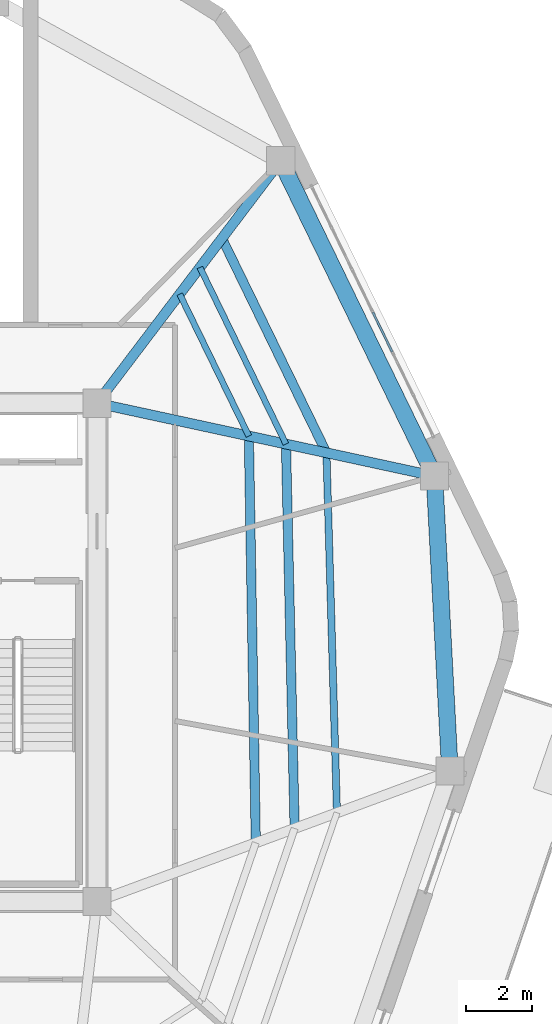
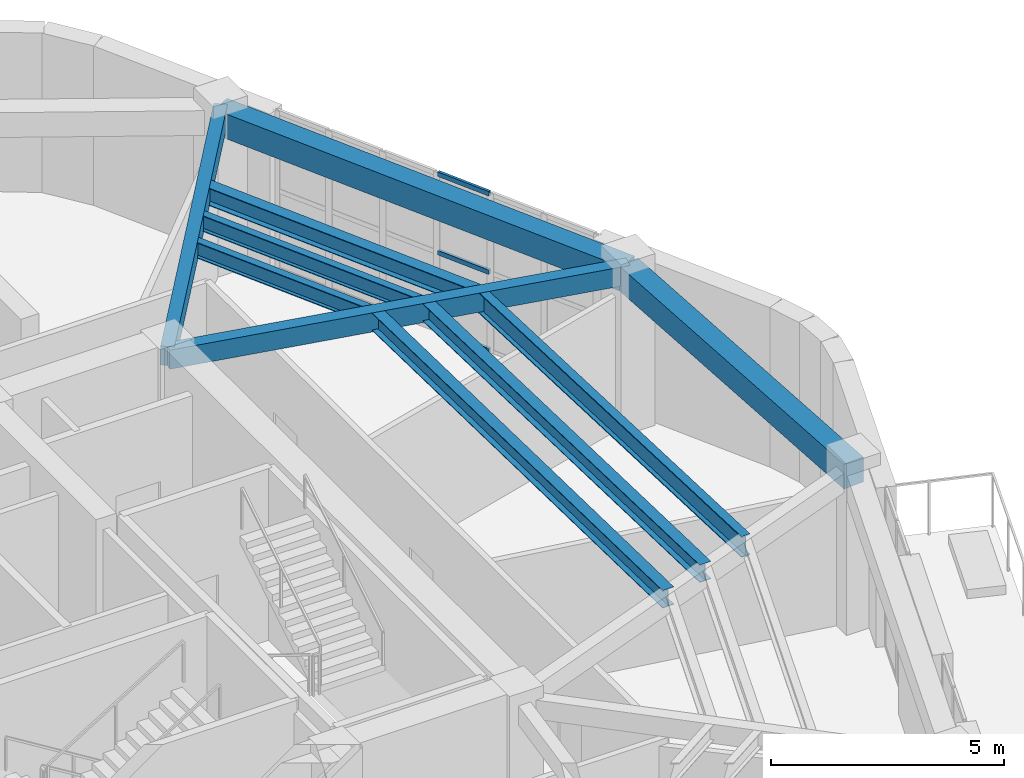
# One storey, part 5 of 15: 10 beams, 3 members, 1 element without a shape of its own.
"""IFC4 building model written with IfcOpenShell, lengths in metres."""

import ifcopenshell
import ifcopenshell.guid

model = None  # the IFC model being written
_history = None  # IfcOwnerHistory: only IFC2X3 demands one
_inside = {}  # id of a spatial element -> (the spatial element, [elements in it])
_under = {}  # id of a project, library or spatial element -> (it, [spatial elements below it])
_declared = {}  # id of a project -> (the project, [libraries it declares])
_typed = {}  # id of a type object -> (the type object, [elements of that type])
_made_of = {}  # id of a material, layer set ... -> (it, [elements and type objects made of it])


def new_model(schema):
    """Start an empty IFC model of exactly this schema.

    Asked for "IFC4X3", IfcOpenShell would pick the latest addendum, in which some entities
    have other attributes; the version numbers below select the first issue.
    IFC2X3 requires an IfcOwnerHistory on every rooted entity: one is made here for all.
    """
    global model, _history
    if schema == "IFC4X3":
        model = ifcopenshell.file(schema_version=(4, 3, 0, 0))
    else:
        model = ifcopenshell.file(schema=schema)
    _inside.clear()
    _under.clear()
    _declared.clear()
    _typed.clear()
    _made_of.clear()
    _history = None
    if model.schema == "IFC2X3":
        org = make("IfcOrganization", Name="unknown")
        user = make(
            "IfcPersonAndOrganization",
            ThePerson=make("IfcPerson", FamilyName="unknown"),
            TheOrganization=org,
        )
        app = make(
            "IfcApplication",
            ApplicationDeveloper=org,
            Version="unknown",
            ApplicationFullName="unknown",
            ApplicationIdentifier="unknown",
        )
        _history = make(
            "IfcOwnerHistory",
            OwningUser=user,
            OwningApplication=app,
            ChangeAction="ADDED",
            CreationDate=0,
        )
    return model


def make(cls, **values):
    """One entity of the class cls with the attributes given. An attribute that is None is left unset."""
    return model.create_entity(
        cls, **{name: value for name, value in values.items() if value is not None}
    )


def rooted(cls, **values):
    """An entity with a GlobalId (a new one), such as an element, a storey or a relation."""
    return make(cls, GlobalId=ifcopenshell.guid.new(), OwnerHistory=_history, **values)


def si_unit(unit_type, name, prefix=None):
    """IfcSIUnit, for example si_unit("LENGTHUNIT", "METRE", prefix="MILLI")."""
    return make("IfcSIUnit", UnitType=unit_type, Prefix=prefix, Name=name)


def assignment(units):
    """IfcUnitAssignment: the units of a project."""
    return None if units is None else make("IfcUnitAssignment", Units=units)


def point(xyz):
    """IfcCartesianPoint."""
    return None if xyz is None else make("IfcCartesianPoint", Coordinates=xyz)


def direction(xyz):
    """IfcDirection."""
    return None if xyz is None else make("IfcDirection", DirectionRatios=xyz)


def frame(location, z_axis=None, x_axis=None):
    """IfcAxis2Placement3D, a coordinate frame: its origin and axes. An axis left out is left unset."""
    return make(
        "IfcAxis2Placement3D",
        Location=point(location),
        Axis=direction(z_axis),
        RefDirection=direction(x_axis),
    )


def frame_2d(location, x_axis=None):
    """IfcAxis2Placement2D, a coordinate frame in the plane: its origin and x axis."""
    return make(
        "IfcAxis2Placement2D", Location=point(location), RefDirection=direction(x_axis)
    )


def origin():
    """The frame at (0, 0, 0) with its axes left unset."""
    return frame((0.0, 0.0, 0.0))


def origin_2d():
    """The frame at (0, 0) in the plane with its x axis left unset."""
    return frame_2d((0.0, 0.0))


def place(relative_to, where):
    """IfcLocalPlacement: puts the frame where relative to a parent placement (None: the world)."""
    return make(
        "IfcLocalPlacement", PlacementRelTo=relative_to, RelativePlacement=where
    )


def context(
    kind, dimensions, precision=None, world=None, true_north=None, identifier=None
):
    """IfcGeometricRepresentationContext, for example the 3D "Model" context."""
    return make(
        "IfcGeometricRepresentationContext",
        ContextIdentifier=identifier,
        ContextType=kind,
        CoordinateSpaceDimension=dimensions,
        Precision=precision,
        WorldCoordinateSystem=world,
        TrueNorth=true_north,
    )


def subcontext(parent, identifier, kind, view, scale=None):
    """IfcGeometricRepresentationSubContext, for example "Body" below "Model"."""
    return make(
        "IfcGeometricRepresentationSubContext",
        ContextIdentifier=identifier,
        ContextType=kind,
        ParentContext=parent,
        TargetScale=scale,
        TargetView=view,
    )


def project(units=None, contexts=None):
    """IfcProject with its units and contexts."""
    return rooted(
        "IfcProject",
        Name="project",
        RepresentationContexts=contexts,
        UnitsInContext=assignment(units),
    )


def spatial(cls, under=None, at=None, **own):
    """A site, building, storey or space (cls), placed at a placement, below another one or the project."""
    s = rooted(cls, ObjectPlacement=at, **own)
    if under is not None:
        _under.setdefault(under.id(), (under, []))[1].append(s)
    return s


def profile(cls, at=None, kind="AREA", **sizes):
    """A parametric profile (cls). Its sizes go by their IFC names, for example OverallWidth=200.0."""
    return make(cls, ProfileType=kind, Position=at, **sizes)


def rectangle(**sizes):
    """IfcRectangleProfileDef."""
    return profile("IfcRectangleProfileDef", **sizes)


def hollow_rectangle(**sizes):
    """IfcRectangleHollowProfileDef."""
    return profile("IfcRectangleHollowProfileDef", **sizes)


def i_section(**sizes):
    """IfcIShapeProfileDef."""
    return profile("IfcIShapeProfileDef", **sizes)


def extrude(swept, where, along, depth):
    """IfcExtrudedAreaSolid: the profile swept, set in the frame where, extruded along a direction by depth."""
    return make(
        "IfcExtrudedAreaSolid",
        SweptArea=swept,
        Position=where,
        ExtrudedDirection=direction(along),
        Depth=depth,
    )


def shape(context_of_items, identifier, shape_type, items):
    """IfcShapeRepresentation: the items that make up one representation, for example the "Body"."""
    return make(
        "IfcShapeRepresentation",
        ContextOfItems=context_of_items,
        RepresentationIdentifier=identifier,
        RepresentationType=shape_type,
        Items=items,
    )


def material(Name=None, Category=None):
    """IfcMaterial."""
    return make("IfcMaterial", Name=Name, Category=Category)


def layer(
    of_material, thickness, ventilated=None, Name=None, Category=None, Priority=None
):
    """IfcMaterialLayer: one layer of a wall or slab, of a material (None: an air gap)."""
    return make(
        "IfcMaterialLayer",
        Material=of_material,
        LayerThickness=thickness,
        IsVentilated=ventilated,
        Name=Name,
        Category=Category,
        Priority=Priority,
    )


def layer_set(layers, Name=None):
    """IfcMaterialLayerSet."""
    return make("IfcMaterialLayerSet", MaterialLayers=layers, LayerSetName=Name)


def material_profile(
    of_material, cross_section, Name=None, Category=None, Priority=None
):
    """IfcMaterialProfile: a cross section and its material."""
    return make(
        "IfcMaterialProfile",
        Name=Name,
        Material=of_material,
        Profile=cross_section,
        Priority=Priority,
        Category=Category,
    )


def profile_set(profiles, Name=None, composite=None):
    """IfcMaterialProfileSet."""
    return make(
        "IfcMaterialProfileSet",
        Name=Name,
        MaterialProfiles=profiles,
        CompositeProfile=composite,
    )


def made_of(thing, what):
    """Note that an element or type object is made of a material, layer set ...; save() writes the relation."""
    if what is not None:
        _made_of.setdefault(what.id(), (what, []))[1].append(thing)
    return thing


def type_object(cls, material=None, **own):
    """A type object (cls), such as IfcWallType, which elements share."""
    return made_of(rooted(cls, **own), material)


def element(
    cls,
    number,
    at=None,
    inside=None,
    cuts=None,
    type_object=None,
    material=None,
    context=None,
    identifier="Body",
    shape_type=None,
    held_by="IfcProductDefinitionShape",
    body=None,
    shapes=None,
    **own,
):
    """One element of the class cls, such as IfcWall. Its Tag is "e" and its number.

    at: its placement. inside: the storey or other place that contains it. cuts: it is an
    opening in that element (IfcRelVoidsElement). A single representation is given by context,
    identifier, shape_type and body (its items); several are given by shapes. held_by: the class
    of the entity that holds the representations. save() writes the other relations.
    """
    e = rooted(cls, Tag="e%d" % number, ObjectPlacement=at, **own)
    if body is not None:
        shapes = [shape(context, identifier, shape_type, body)]
    if shapes is not None:
        e.Representation = make(held_by, Representations=shapes)
    if inside is not None:
        _inside.setdefault(inside.id(), (inside, []))[1].append(e)
    if cuts is not None:
        rooted(
            "IfcRelVoidsElement", RelatingBuildingElement=cuts, RelatedOpeningElement=e
        )
    if type_object is not None:
        _typed.setdefault(type_object.id(), (type_object, []))[1].append(e)
    return made_of(e, material)


def aggregate(whole, parts):
    """IfcRelAggregates: a whole, such as a stair, and the parts it consists of."""
    return rooted("IfcRelAggregates", RelatingObject=whole, RelatedObjects=parts)


def save(model, path):
    """Write the relations noted so far, then the file.

    IfcRelAggregates (storeys below a building ...), IfcRelContainedInSpatialStructure (elements
    in a storey), IfcRelDefinesByType, IfcRelAssociatesMaterial and IfcRelDeclares: one each for
    every whole, place, type object, material and project.
    """
    for whole, parts in _under.values():
        aggregate(whole, parts)
    for where, things in _inside.values():
        rooted(
            "IfcRelContainedInSpatialStructure",
            RelatedElements=things,
            RelatingStructure=where,
        )
    for kind, things in _typed.values():
        rooted("IfcRelDefinesByType", RelatedObjects=things, RelatingType=kind)
    for what, things in _made_of.values():
        rooted("IfcRelAssociatesMaterial", RelatedObjects=things, RelatingMaterial=what)
    for by, libraries in _declared.values():
        rooted("IfcRelDeclares", RelatingContext=by, RelatedDefinitions=libraries)
    model.write(path)


model = new_model("IFC4")

# Units and contexts
model_context = context("Model", 3, precision=1e-05, world=origin(), true_north=direction((0.0, 1.0)))
body_context = subcontext(model_context, "Body", "Model", "MODEL_VIEW")
ifc_project = project(units=[si_unit("LENGTHUNIT", "METRE"), si_unit("AREAUNIT", "SQUARE_METRE"), si_unit("VOLUMEUNIT", "CUBIC_METRE"), si_unit("PLANEANGLEUNIT", "RADIAN"), si_unit("MASSUNIT", "GRAM", prefix="KILO")], contexts=[model_context])

# Site, building, storey
site_placement = place(None, origin())
site = spatial("IfcSite", under=ifc_project, at=site_placement, CompositionType="ELEMENT")
building_placement = place(site_placement, origin())
building = spatial("IfcBuilding", under=site, at=building_placement, Name="Kilnhurst Terrace Hotel", CompositionType="ELEMENT")
storey_placement = place(building_placement, frame((0.0, 0.0, 293.10009765625)))
storey = spatial("IfcBuildingStorey", under=building, at=storey_placement, Name="L73", CompositionType="ELEMENT", Elevation=293.10009765625)

# Beams
ifc_material_1 = material(Name="Concrete C50/60", Category="concrete")
ifc_material_profile_1 = material_profile(ifc_material_1, rectangle(XDim=0.300048828125, YDim=0.5, at=origin_2d()), Name="RC300X500")
ifc_profile_set_1 = profile_set([ifc_material_profile_1], Name="Concrete C50/60")
beam_type_1 = type_object("IfcBeamType", Name="BM-RAD-300X500", PredefinedType="BEAM", material=ifc_profile_set_1)
beam_1_placement = place(storey_placement, frame((9.0, 7.5, 3.929931640625), z_axis=(0.977438945995, -0.211218149913, 0.0), x_axis=(0.211218149913, 0.977438945995, 0.0)))
element("IfcBeam", 1, at=beam_1_placement, inside=storey, type_object=beam_type_1, Name="L73 Radial Floor Beam 5", PredefinedType="BEAM", context=body_context, shape_type="SweptSolid", body=[
    extrude(rectangle(XDim=0.300048828125, YDim=0.5, at=origin_2d()), origin(), (0.0, 0.0, 1.0), 10.392333984375),
])
beam_2_placement = place(storey_placement, frame((9.0, 7.5, 3.929931640625), z_axis=(0.604006537698, 0.79697936135, 0.0), x_axis=(-0.79697936135, 0.604006537698, 0.0)))
element("IfcBeam", 2, at=beam_2_placement, inside=storey, type_object=beam_type_1, Name="L73 Radial Floor Beam 6", PredefinedType="BEAM", context=body_context, shape_type="SweptSolid", body=[
    extrude(rectangle(XDim=0.300048828125, YDim=0.5, at=origin_2d()), origin(), (0.0, 0.0, 1.0), 9.1572265625),
])
ifc_material_profile_2 = material_profile(ifc_material_1, rectangle(XDim=0.5, YDim=0.64990234375, at=origin_2d()), Name="RC500X650")
ifc_profile_set_2 = profile_set([ifc_material_profile_2], Name="Concrete C50/60")
beam_type_2 = type_object("IfcBeamType", Name="BM-SPN-500X650", PredefinedType="SPANDREL", material=ifc_profile_set_2)
beam_3_placement = place(storey_placement, frame((19.6240234375, -3.573974609375, 3.85498046875), z_axis=(-0.052419034962, 0.998625177318, 0.0), x_axis=(-0.998625177318, -0.052419034962, 0.0)))
element("IfcBeam", 3, at=beam_3_placement, inside=storey, type_object=beam_type_2, Name="L73 Perimeter Spandrel Beam 4", PredefinedType="SPANDREL", context=body_context, shape_type="SweptSolid", body=[
    extrude(rectangle(XDim=0.5, YDim=0.64990234375, at=origin_2d()), origin(), (0.0, 0.0, 1.0), 8.89111328125),
])
beam_4_placement = place(storey_placement, frame((19.157958984375, 5.304931640625, 3.85498046875), z_axis=(-0.438128464895, 0.898912369616, 0.0), x_axis=(-0.898912369616, -0.438128464895, 0.0)))
element("IfcBeam", 4, at=beam_4_placement, inside=storey, type_object=beam_type_2, Name="L73 Perimeter Spandrel Beam 5", PredefinedType="SPANDREL", context=body_context, shape_type="SweptSolid", body=[
    extrude(rectangle(XDim=0.5, YDim=0.64990234375, at=origin_2d()), origin(), (0.0, 0.0, 1.0), 10.560791015625),
])
ifc_material_2 = material(Name="Steel ASTM A992 Grade 50", Category="steel")
ifc_material_profile_3 = material_profile(ifc_material_2, i_section(OverallWidth=0.180908203125, OverallDepth=0.417236328125, WebThickness=0.010986328125, FlangeThickness=0.018310546875, at=origin_2d()), Name="W16X57")
ifc_profile_set_3 = profile_set([ifc_material_profile_3], Name="Steel ASTM A992 Grade 50")
beam_type_3 = type_object("IfcBeamType", Name="JST-STL-W16X57", PredefinedType="JOIST", material=ifc_profile_set_3)
beam_5_placement = place(storey_placement, frame((13.571044921875, 6.51220703125, 3.970947265625), z_axis=(-0.438107813647, 0.898922434708, 0.0), x_axis=(-0.898922434708, -0.438107813647, 0.0)))
element("IfcBeam", 5, at=beam_5_placement, inside=storey, type_object=beam_type_3, Name="L73 Secondary Floor Steel Joist IN.5", PredefinedType="JOIST", context=body_context, shape_type="SweptSolid", body=[
    extrude(i_section(OverallWidth=0.180908203125, OverallDepth=0.417236328125, WebThickness=0.010986328125, FlangeThickness=0.018310546875, at=origin_2d()), origin(), (0.0, 0.0, 1.0), 4.75244140625),
])
beam_6_placement = place(storey_placement, frame((14.6884765625, 6.270751953125, 3.970947265625), z_axis=(-0.438125112318, 0.898914003649, 0.0), x_axis=(-0.898914003649, -0.438125112318, 0.0)))
element("IfcBeam", 6, at=beam_6_placement, inside=storey, type_object=beam_type_3, Name="L73 Secondary Floor Steel Joist MID.5", PredefinedType="JOIST", context=body_context, shape_type="SweptSolid", body=[
    extrude(i_section(OverallWidth=0.180908203125, OverallDepth=0.417236328125, WebThickness=0.010986328125, FlangeThickness=0.018310546875, at=origin_2d()), origin(), (0.0, 0.0, 1.0), 5.9140625),
])
ifc_material_profile_4 = material_profile(ifc_material_2, i_section(OverallWidth=0.279296875, OverallDepth=0.462890625, WebThickness=0.0107421875, FlangeThickness=0.017333984375, at=origin_2d()), Name="W18X76")
ifc_profile_set_4 = profile_set([ifc_material_profile_4], Name="Steel ASTM A992 Grade 50")
beam_type_4 = type_object("IfcBeamType", Name="JST-STL-W18X76", PredefinedType="JOIST", material=ifc_profile_set_4)
beam_7_placement = place(storey_placement, frame((15.907470703125, 6.00732421875, 3.947998046875), z_axis=(-0.438147652742, 0.898903017237, 0.0), x_axis=(-0.898903017237, -0.438147652742, 0.0)))
element("IfcBeam", 7, at=beam_7_placement, inside=storey, type_object=beam_type_4, Name="L73 Secondary Floor Steel Joist OUT.5", PredefinedType="JOIST", context=body_context, shape_type="SweptSolid", body=[
    extrude(i_section(OverallWidth=0.279296875, OverallDepth=0.462890625, WebThickness=0.0107421875, FlangeThickness=0.017333984375, at=origin_2d()), origin(), (0.0, 0.0, 1.0), 7.181396484375),
])
beam_8_placement = place(storey_placement, frame((13.78076171875, -5.7333984375, 3.947998046875), z_axis=(-0.01712337129, 0.99985338433, 0.0), x_axis=(-0.99985338433, -0.01712337129, 0.0)))
element("IfcBeam", 8, at=beam_8_placement, inside=storey, type_object=beam_type_4, Name="L73 Secondary Floor Steel Joist IN.4", PredefinedType="JOIST", context=body_context, shape_type="SweptSolid", body=[
    extrude(i_section(OverallWidth=0.279296875, OverallDepth=0.462890625, WebThickness=0.0107421875, FlangeThickness=0.017333984375, at=origin_2d()), origin(), (0.0, 0.0, 1.0), 12.247314453125),
])
beam_9_placement = place(storey_placement, frame((14.949462890625, -5.301513671875, 3.947998046875), z_axis=(-0.022547009345, 0.999745783872, 0.0), x_axis=(-0.999745783872, -0.022547009345, 0.0)))
element("IfcBeam", 9, at=beam_9_placement, inside=storey, type_object=beam_type_4, Name="L73 Secondary Floor Steel Joist MID.4", PredefinedType="JOIST", context=body_context, shape_type="SweptSolid", body=[
    extrude(i_section(OverallWidth=0.279296875, OverallDepth=0.462890625, WebThickness=0.0107421875, FlangeThickness=0.017333984375, at=origin_2d()), origin(), (0.0, 0.0, 1.0), 11.5751953125),
])
ifc_material_profile_5 = material_profile(ifc_material_2, i_section(OverallWidth=0.2138671875, OverallDepth=0.549072265625, WebThickness=0.0146484375, FlangeThickness=0.023681640625, at=origin_2d()), Name="W21X93")
ifc_profile_set_5 = profile_set([ifc_material_profile_5], Name="Steel ASTM A992 Grade 50")
beam_type_5 = type_object("IfcBeamType", Name="JST-STL-W21X93", PredefinedType="JOIST", material=ifc_profile_set_5)
beam_10_placement = place(storey_placement, frame((16.224365234375, -4.830322265625, 3.90478515625), z_axis=(-0.029227669324, 0.999572780415, 0.0), x_axis=(-0.999572780415, -0.029227669324, 0.0)))
element("IfcBeam", 10, at=beam_10_placement, inside=storey, type_object=beam_type_5, Name="L73 Secondary Floor Steel Joist OUT.4", PredefinedType="JOIST", context=body_context, shape_type="SweptSolid", body=[
    extrude(i_section(OverallWidth=0.2138671875, OverallDepth=0.549072265625, WebThickness=0.0146484375, FlangeThickness=0.023681640625, at=origin_2d()), origin(), (0.0, 0.0, 1.0), 10.84228515625),
])

# Curtain wall, members
ifc_material_3 = material(Name="Anodized Aluminium Alloy 6063-T6 and Low-E Glass", Category="aluminium")
ifc_layer = layer(ifc_material_3, 0.219970703125, Name="Anodized Aluminium Alloy 6063-T6 and Low-E Glass")
ifc_layer_set = layer_set([ifc_layer], Name="Anodized Aluminium Alloy 6063-T6 and Low-E Glass")
curtain_wall_type = type_object("IfcCurtainWallType", Name="CW-PORTAL-L72", PredefinedType="NOTDEFINED", material=ifc_layer_set)
curtain_wall_placement = place(storey_placement, origin())
curtain_wall = element("IfcCurtainWall", 11, at=curtain_wall_placement, inside=storey, type_object=curtain_wall_type, Name="L73 Curtain Wall CW-L73-F3-1", PredefinedType="NOTDEFINED")
ifc_material_4 = material(Name="Extruded Aluminium Alloy 6063-T6", Category="aluminium")
ifc_material_profile_6 = material_profile(ifc_material_4, hollow_rectangle(XDim=0.06494140625, YDim=0.1201171875, WallThickness=0.00341796875, at=origin_2d()), Name="CWT65X120")
ifc_profile_set_6 = profile_set([ifc_material_profile_6], Name="Extruded Aluminium Alloy 6063-T6")
member_type = type_object("IfcMemberType", Name="MEM-CWT65X120", PredefinedType="USERDEFINED", material=ifc_profile_set_6)
member_1_placement = place(storey_placement, frame((17.885498046875, 9.044677734375, 0.032470703125), z_axis=(-0.438076042063, 0.898937918529, 0.0), x_axis=(-0.898937918529, -0.438076042063, 0.0)))
member_1 = element("IfcMember", 12, at=member_1_placement, type_object=member_type, Name="CWP-5 transom 3.1", ObjectType="TRANSOM", PredefinedType="USERDEFINED", context=body_context, shape_type="SweptSolid", body=[
    extrude(hollow_rectangle(XDim=0.06494140625, YDim=0.1201171875, WallThickness=0.00341796875, at=origin_2d()), origin(), (0.0, 0.0, 1.0), 1.32861328125),
])
member_2_placement = place(storey_placement, frame((17.885498046875, 9.044677734375, 2.08984375), z_axis=(-0.438076042063, 0.898937918529, 0.0), x_axis=(-0.898937918529, -0.438076042063, 0.0)))
member_2 = element("IfcMember", 13, at=member_2_placement, type_object=member_type, Name="CWP-5 transom 3.2", ObjectType="TRANSOM", PredefinedType="USERDEFINED", context=body_context, shape_type="SweptSolid", body=[
    extrude(hollow_rectangle(XDim=0.06494140625, YDim=0.1201171875, WallThickness=0.00341796875, at=origin_2d()), origin(), (0.0, 0.0, 1.0), 1.32861328125),
])
member_3_placement = place(storey_placement, frame((17.885498046875, 9.044677734375, 4.1474609375), z_axis=(-0.438076042063, 0.898937918529, 0.0), x_axis=(-0.898937918529, -0.438076042063, 0.0)))
member_3 = element("IfcMember", 14, at=member_3_placement, type_object=member_type, Name="CWP-5 transom 3.3", ObjectType="TRANSOM", PredefinedType="USERDEFINED", context=body_context, shape_type="SweptSolid", body=[
    extrude(hollow_rectangle(XDim=0.06494140625, YDim=0.1201171875, WallThickness=0.00341796875, at=origin_2d()), origin(), (0.0, 0.0, 1.0), 1.32861328125),
])
aggregate(curtain_wall, [member_1, member_2, member_3])

save(model, "model.ifc")
